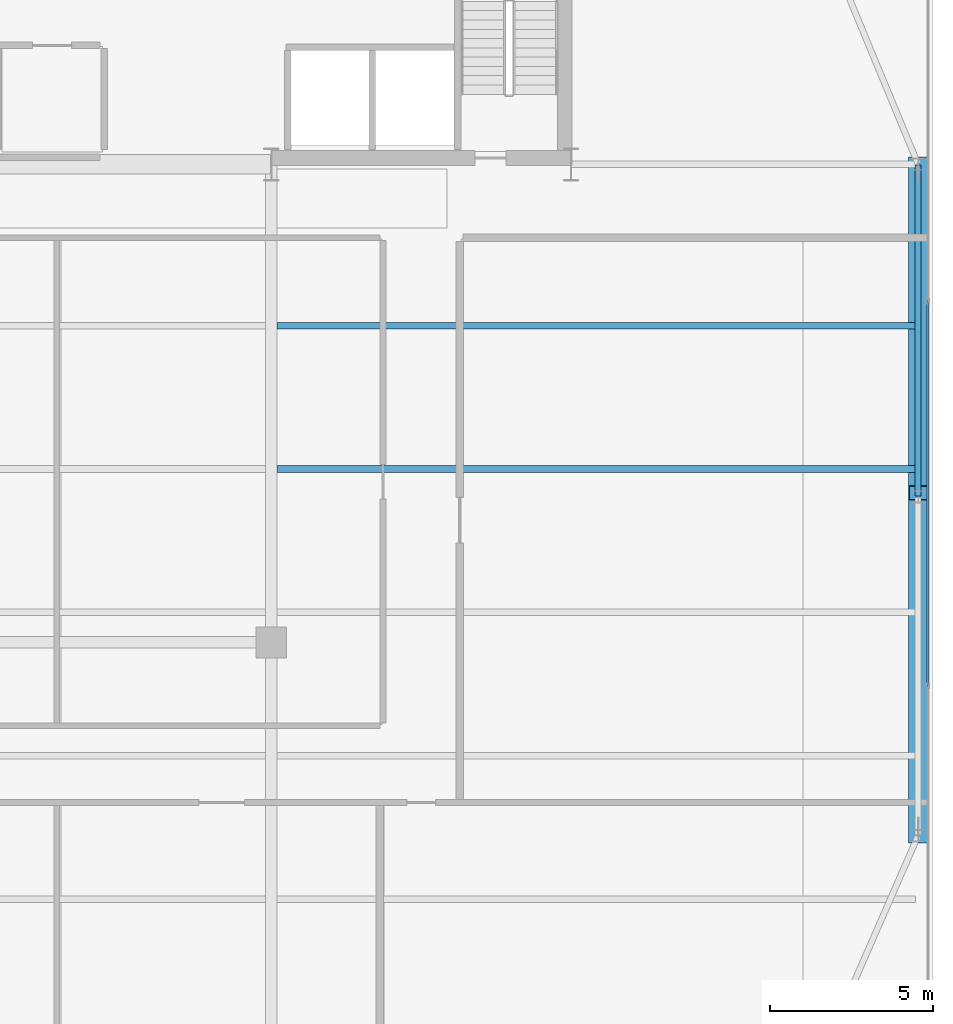
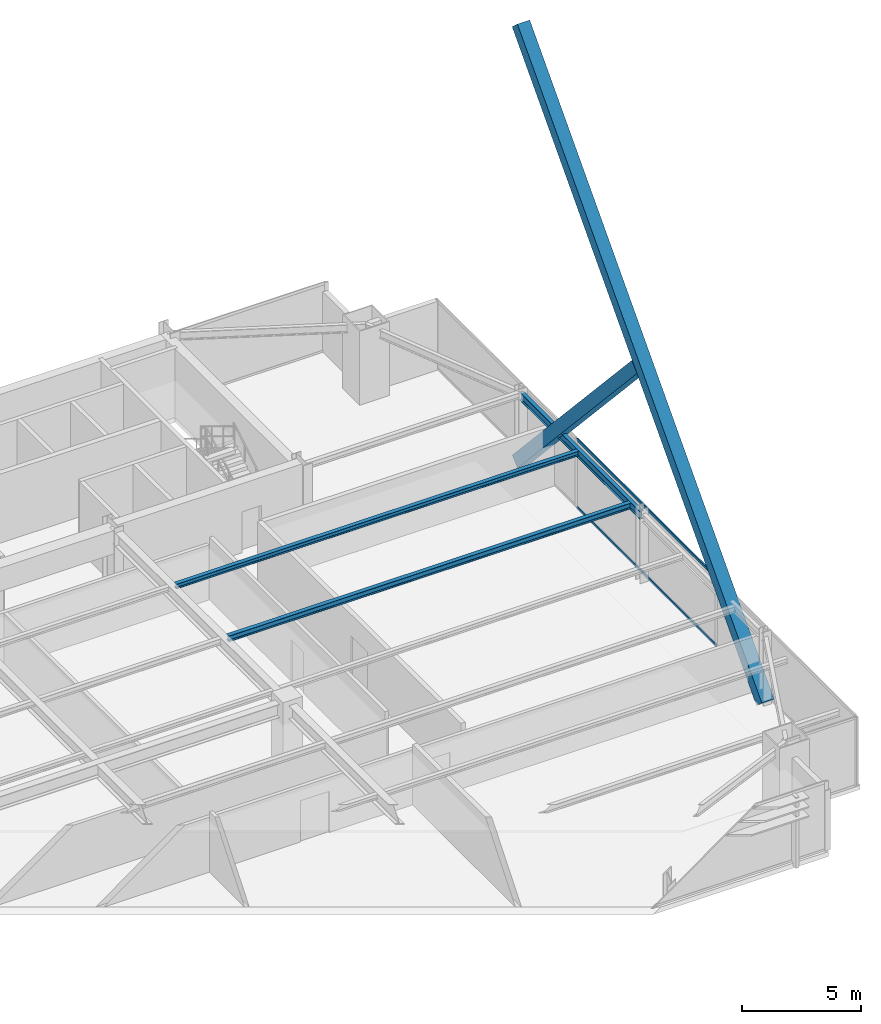
# One storey, part 21 of 38: 4 members, 3 beams, 1 element without a shape of its own.
"""IFC4 building model written with IfcOpenShell, lengths in metres."""

from ifc_helpers import new_model, si_unit, direction, frame, origin, origin_2d, place, context, subcontext, project, spatial, hollow_rectangle, i_section, extrude, source, transform, mapped, material, layer, layer_set, material_profile, profile_set, type_object, type_shapes, element, aggregate, save


model = new_model("IFC4")

# Units and contexts
model_context = context("Model", 3, precision=1e-05, world=origin(), true_north=direction((0.0, 1.0)))
body_context = subcontext(model_context, "Body", "Model", "MODEL_VIEW")
ifc_project = project(units=[si_unit("LENGTHUNIT", "METRE"), si_unit("AREAUNIT", "SQUARE_METRE"), si_unit("VOLUMEUNIT", "CUBIC_METRE"), si_unit("PLANEANGLEUNIT", "RADIAN"), si_unit("MASSUNIT", "GRAM", prefix="KILO")], contexts=[model_context])

# Site, building, storey
site_placement = place(None, origin())
site = spatial("IfcSite", under=ifc_project, at=site_placement, CompositionType="ELEMENT")
building_placement = place(site_placement, origin())
building = spatial("IfcBuilding", under=site, at=building_placement, Name="Varnel Quay Broadcast Tower", CompositionType="ELEMENT")
storey_placement = place(building_placement, frame((0.0, 0.0, 118.199951171875)))
storey = spatial("IfcBuildingStorey", under=building, at=storey_placement, Name="L28", CompositionType="ELEMENT", Elevation=118.199951171875)

# Beams
ifc_material_1 = material(Name="Structural Steel CSA G40.21 350W", Category="steel")
ifc_material_profile_1 = material_profile(ifc_material_1, i_section(OverallWidth=0.180908203125, OverallDepth=0.4169921875, WebThickness=0.010986328125, FlangeThickness=0.018310546875, FilletRadius=0.011962890625, at=origin_2d()), Name="W410X85")
ifc_profile_set_1 = profile_set([ifc_material_profile_1], Name="Structural Steel CSA G40.21 350W")
beam_type_1 = type_object("IfcBeamType", Name="Beam_W410X85", PredefinedType="SPANDREL", material=ifc_profile_set_1)
shared_shape_1 = source(origin(), body_context, "Body", "SweptSolid", [
    extrude(i_section(OverallWidth=0.180908203125, OverallDepth=0.4169921875, WebThickness=0.010986328125, FlangeThickness=0.018310546875, FilletRadius=0.011962890625, at=origin_2d()), origin(), (0.0, 0.0, 1.0), 10.16015625),
])
type_shapes(beam_type_1, [shared_shape_1])
beam_1_placement = place(storey_placement, frame((63.050048828125, 25.419921875, 3.341552734375), z_axis=(0.0, 1.0, 0.0), x_axis=(-1.0, 0.0, 0.0)))
element("IfcBeam", 1, at=beam_1_placement, inside=storey, type_object=beam_type_1, Name="L28 East Spandrel TC-E2-TC-E3", PredefinedType="SPANDREL", context=body_context, shape_type="MappedRepresentation", body=[
    mapped(shared_shape_1, transform((0.0, 0.0, 0.0), x_axis=(1.0, 0.0, 0.0), y_axis=(0.0, 1.0, 0.0), z_axis=(0.0, 0.0, 1.0), scale=1.0)),
])
ifc_material_profile_2 = material_profile(ifc_material_1, i_section(OverallWidth=0.202880859375, OverallDepth=0.302978515625, WebThickness=0.007568359375, FlangeThickness=0.01318359375, FilletRadius=0.011962890625, at=origin_2d()), Name="W310X60")
ifc_profile_set_2 = profile_set([ifc_material_profile_2], Name="Structural Steel CSA G40.21 350W")
beam_type_2 = type_object("IfcBeamType", Name="Beam_W310X60", PredefinedType="JOIST", material=ifc_profile_set_2)
shared_shape_2 = source(origin(), body_context, "Body", "SweptSolid", [
    extrude(i_section(OverallWidth=0.202880859375, OverallDepth=0.302978515625, WebThickness=0.007568359375, FlangeThickness=0.01318359375, FilletRadius=0.011962890625, at=origin_2d()), origin(), (0.0, 0.0, 1.0), 19.592041015625),
])
type_shapes(beam_type_2, [shared_shape_2])
beam_2_placement = place(storey_placement, frame((43.37255859375, 26.25, 3.3984375), z_axis=(1.0, 0.0, 0.0), x_axis=(0.0, 1.0, 0.0)))
element("IfcBeam", 2, at=beam_2_placement, inside=storey, type_object=beam_type_2, Name="L28 East Floor Joist 5", PredefinedType="JOIST", context=body_context, shape_type="MappedRepresentation", body=[
    mapped(shared_shape_2, transform((0.0, 0.0, 0.0), x_axis=(1.0, 0.0, 0.0), y_axis=(0.0, 1.0, 0.0), z_axis=(0.0, 0.0, 1.0), scale=1.0)),
])
ifc_material_profile_3 = material_profile(ifc_material_1, i_section(OverallWidth=0.201904296875, OverallDepth=0.2470703125, WebThickness=0.00732421875, FlangeThickness=0.010986328125, FilletRadius=0.010986328125, at=origin_2d()), Name="W250X49")
ifc_profile_set_3 = profile_set([ifc_material_profile_3], Name="Structural Steel CSA G40.21 350W")
beam_type_3 = type_object("IfcBeamType", Name="Beam_W250X49", PredefinedType="JOIST", material=ifc_profile_set_3)
shared_shape_3 = source(origin(), body_context, "Body", "SweptSolid", [
    extrude(i_section(OverallWidth=0.201904296875, OverallDepth=0.2470703125, WebThickness=0.00732421875, FlangeThickness=0.010986328125, FilletRadius=0.010986328125, at=origin_2d()), origin(), (0.0, 0.0, 1.0), 19.592041015625),
])
type_shapes(beam_type_3, [shared_shape_3])
beam_3_placement = place(storey_placement, frame((43.37255859375, 30.64990234375, 3.426513671875), z_axis=(1.0, 0.0, 0.0), x_axis=(0.0, 1.0, 0.0)))
element("IfcBeam", 3, at=beam_3_placement, inside=storey, type_object=beam_type_3, Name="L28 East Floor Joist 6", PredefinedType="JOIST", context=body_context, shape_type="MappedRepresentation", body=[
    mapped(shared_shape_3, transform((0.0, 0.0, 0.0), x_axis=(1.0, 0.0, 0.0), y_axis=(0.0, 1.0, 0.0), z_axis=(0.0, 0.0, 1.0), scale=1.0)),
])

# Members
ifc_material_2 = material(Name="Structural Steel CSA G40.21 350WT", Category="steel")
ifc_material_profile_4 = material_profile(ifc_material_2, hollow_rectangle(XDim=0.60009765625, YDim=0.60009765625, WallThickness=0.028076171875, at=origin_2d()), Name="BOX600X600X28")
ifc_profile_set_4 = profile_set([ifc_material_profile_4], Name="Structural Steel CSA G40.21 350WT")
member_type_1 = type_object("IfcMemberType", Name="Brace_BOX600X600X28", PredefinedType="BRACE", material=ifc_profile_set_4)
shared_shape_4 = source(origin(), body_context, "Body", "SweptSolid", [
    extrude(hollow_rectangle(XDim=0.60009765625, YDim=0.60009765625, WallThickness=0.028076171875, at=origin_2d()), origin(), (0.0, 0.0, 1.0), 30.461669921875),
])
member_1_placement = place(storey_placement, frame((63.050048828125, 15.0, 0.02001953125), z_axis=(0.0, 0.676262308998, 0.736660905321), x_axis=(-1.0, 0.0, 0.0)))
element("IfcMember", 4, at=member_1_placement, inside=storey, type_object=member_type_1, Name="Zone 2 Mega-Brace E-FT3 Continuous Diag A", PredefinedType="BRACE", context=body_context, shape_type="MappedRepresentation", body=[
    mapped(shared_shape_4, transform((0.0, 0.0, 0.0), x_axis=(1.0, 0.0, 0.0), y_axis=(0.0, 1.0, 0.0), z_axis=(0.0, 0.0, 1.0), scale=1.0)),
])
shared_shape_5 = source(origin(), body_context, "Body", "SweptSolid", [
    extrude(hollow_rectangle(XDim=0.60009765625, YDim=0.60009765625, WallThickness=0.028076171875, at=origin_2d()), origin(), (0.0, 0.0, 1.0), 14.90478515625),
])
type_shapes(member_type_1, [shared_shape_4, shared_shape_5])
member_2_placement = place(storey_placement, frame((63.050048828125, 35.60009765625, 0.02001953125), z_axis=(0.0, -0.676265172552, 0.736658276539), x_axis=(1.0, 0.0, 0.0)))
element("IfcMember", 5, at=member_2_placement, inside=storey, type_object=member_type_1, Name="Zone 2 Mega-Brace E-FT3 Split Diag B1", PredefinedType="BRACE", context=body_context, shape_type="MappedRepresentation", body=[
    mapped(shared_shape_5, transform((0.0, 0.0, 0.0), x_axis=(1.0, 0.0, 0.0), y_axis=(0.0, 1.0, 0.0), z_axis=(0.0, 0.0, 1.0), scale=1.0)),
])

# Curtain wall, members
ifc_material_3 = material(Name="Anodised Bronze Aluminium 6063-T6", Category="aluminium")
ifc_layer = layer(ifc_material_3, 0.18994140625, Name="Anodised Bronze Aluminium 6063-T6")
ifc_layer_set = layer_set([ifc_layer], Name="Anodised Bronze Aluminium 6063-T6")
curtain_wall_type = type_object("IfcCurtainWallType", Name="CW_LowerTower", PredefinedType="NOTDEFINED", material=ifc_layer_set)
curtain_wall_placement = place(storey_placement, origin())
curtain_wall = element("IfcCurtainWall", 6, at=curtain_wall_placement, inside=storey, type_object=curtain_wall_type, Name="L28 East Unitised Curtain Wall", PredefinedType="NOTDEFINED")
ifc_material_profile_5 = material_profile(ifc_material_3, hollow_rectangle(XDim=0.06005859375, YDim=0.14501953125, WallThickness=0.00341796875, at=origin_2d()), Name="ALU60X145X3.5")
ifc_profile_set_5 = profile_set([ifc_material_profile_5], Name="Anodised Bronze Aluminium 6063-T6")
member_type_2 = type_object("IfcMemberType", Name="Tran_CWS-02", PredefinedType="USERDEFINED", material=ifc_profile_set_5)
shared_shape_6 = source(origin(), body_context, "Body", "SweptSolid", [
    extrude(hollow_rectangle(XDim=0.06005859375, YDim=0.14501953125, WallThickness=0.00341796875, at=origin_2d()), origin(), (0.0, 0.0, 1.0), 11.72998046875),
])
type_shapes(member_type_2, [shared_shape_6])
member_3_placement = place(storey_placement, frame((63.35009765625, 19.635009765625, 0.030029296875), z_axis=(0.0, 1.0, 0.0), x_axis=(-1.0, 0.0, 0.0)))
member_3 = element("IfcMember", 7, at=member_3_placement, type_object=member_type_2, Name="CWS-02 transom 2.1", ObjectType="TRANSOM", PredefinedType="USERDEFINED", context=body_context, shape_type="MappedRepresentation", body=[
    mapped(shared_shape_6, transform((0.0, 0.0, 0.0), x_axis=(1.0, 0.0, 0.0), y_axis=(0.0, 1.0, 0.0), z_axis=(0.0, 0.0, 1.0), scale=1.0)),
])
member_4_placement = place(storey_placement, frame((63.35009765625, 19.635009765625, 3.52001953125), z_axis=(0.0, 1.0, 0.0), x_axis=(-1.0, 0.0, 0.0)))
member_4 = element("IfcMember", 8, at=member_4_placement, type_object=member_type_2, Name="CWS-02 transom 2.2", ObjectType="TRANSOM", PredefinedType="USERDEFINED", context=body_context, shape_type="MappedRepresentation", body=[
    mapped(shared_shape_6, transform((0.0, 0.0, 0.0), x_axis=(1.0, 0.0, 0.0), y_axis=(0.0, 1.0, 0.0), z_axis=(0.0, 0.0, 1.0), scale=1.0)),
])
aggregate(curtain_wall, [member_3, member_4])

save(model, "model.ifc")
